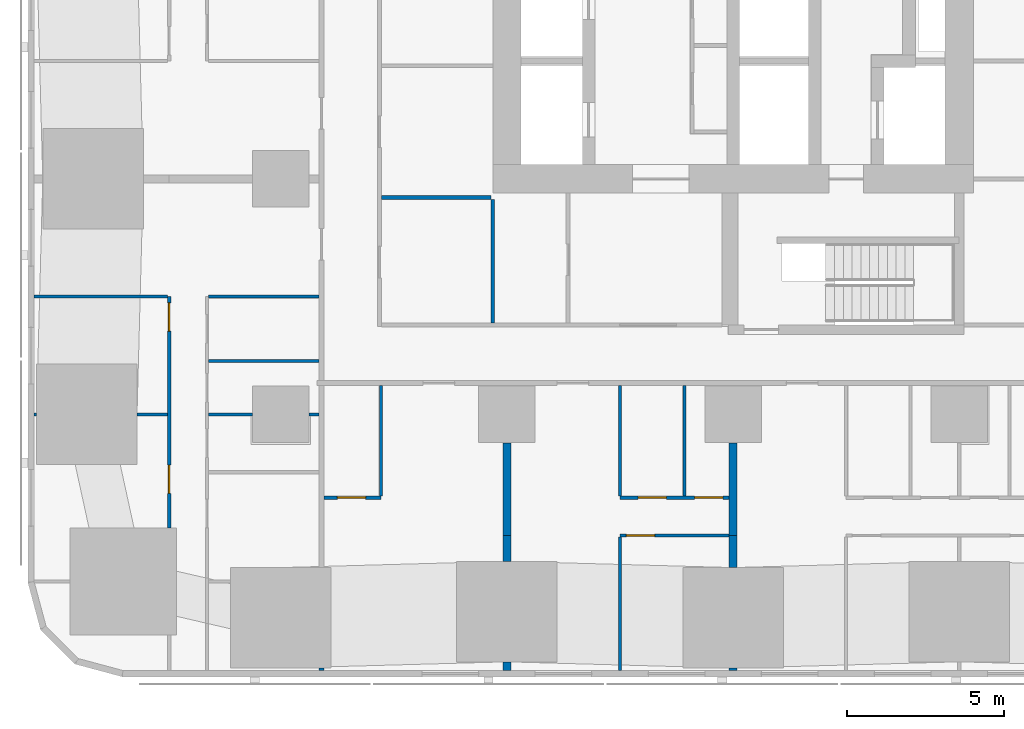
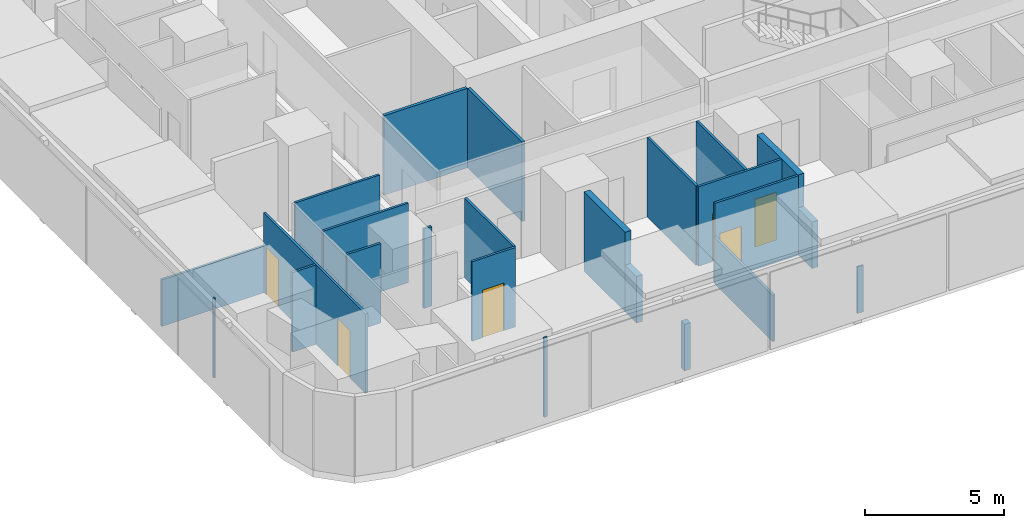
# One storey, part 3 of 18: 24 walls, 6 doors, 6 openings.
"""IFC4 building model written with IfcOpenShell, lengths in metres."""

from ifc_helpers import new_model, si_unit, direction, frame, frame_2d, origin, place, context, subcontext, project, spatial, rectangle, extrude, material, layer, layer_set, type_object, element, fill, save


model = new_model("IFC4")

# Units and contexts
model_context = context("Model", 3, precision=1e-05, world=origin(), true_north=direction((0.0, 1.0)))
body_context = subcontext(model_context, "Body", "Model", "MODEL_VIEW")
ifc_project = project(units=[si_unit("LENGTHUNIT", "METRE"), si_unit("AREAUNIT", "SQUARE_METRE"), si_unit("VOLUMEUNIT", "CUBIC_METRE"), si_unit("PLANEANGLEUNIT", "RADIAN"), si_unit("MASSUNIT", "GRAM", prefix="KILO")], contexts=[model_context])

# Site, building, storey
site_placement = place(None, origin())
site = spatial("IfcSite", under=ifc_project, at=site_placement, CompositionType="ELEMENT")
building_placement = place(site_placement, origin())
building = spatial("IfcBuilding", under=site, at=building_placement, Name="Sheger Commons Tower", CompositionType="ELEMENT")
storey_placement = place(building_placement, frame((0.0, 0.0, 20.0)))
storey = spatial("IfcBuildingStorey", under=building, at=storey_placement, Name="L04", CompositionType="ELEMENT", Elevation=20.0)

# Walls
ifc_material_1 = material(Name="Hollow concrete block masonry, skimmed both sides", Category="masonry")
ifc_layer_1 = layer(ifc_material_1, 0.14990234375)
ifc_layer_set_1 = layer_set([ifc_layer_1], Name="CORRIDOR WALL 150")
wall_type_1 = type_object("IfcWallType", Name="CORRIDOR WALL 150", PredefinedType="SOLIDWALL", material=ifc_layer_set_1)
wall_1_placement = place(storey_placement, frame((8.5, -0.64990234375, 0.0), z_axis=(0.0, 0.0, 1.0), x_axis=(0.0, 1.0, 0.0)))
element("IfcWall", 1, at=wall_1_placement, inside=storey, type_object=wall_type_1, Name="Corridor wall L04", PredefinedType="SOLIDWALL", context=body_context, shape_type="SweptSolid", body=[
    extrude(rectangle(XDim=0.073974609375, YDim=0.14990234375, at=frame_2d((0.037109375, 0.0))), origin(), (0.0, 0.0, 1.0), 3.5),
])
ifc_material_2 = material(Name="Dense concrete block masonry, plastered both sides (separating wall between flats)", Category="masonry")
ifc_layer_2 = layer(ifc_material_2, 0.25)
ifc_layer_set_2 = layer_set([ifc_layer_2], Name="DEMISING WALL 250")
wall_type_2 = type_object("IfcWallType", Name="DEMISING WALL 250", PredefinedType="SOLIDWALL", material=ifc_layer_set_2)
wall_2_placement = place(storey_placement, frame((14.39990234375, -0.64990234375, 0.0), z_axis=(0.0, 0.0, 1.0), x_axis=(0.0, 1.0, 0.0)))
element("IfcWall", 2, at=wall_2_placement, inside=storey, type_object=wall_type_2, Name="Demising wall L04", PredefinedType="SOLIDWALL", context=body_context, shape_type="SweptSolid", body=[
    extrude(rectangle(XDim=0.27392578125, YDim=0.25, at=frame_2d((0.136962890625, 0.0))), origin(), (0.0, 0.0, 1.0), 2.050048828125),
])
wall_3_placement = place(storey_placement, frame((14.39990234375, 2.825927734375, 0.0), z_axis=(0.0, 0.0, 1.0), x_axis=(0.0, 1.0, 0.0)))
element("IfcWall", 3, at=wall_3_placement, inside=storey, type_object=wall_type_2, Name="Demising wall L04", PredefinedType="SOLIDWALL", context=body_context, shape_type="SweptSolid", body=[
    extrude(rectangle(XDim=0.823974609375, YDim=0.25, at=frame_2d((0.412109375, 0.0))), origin(), (0.0, 0.0, 1.0), 2.050048828125),
])
wall_4_placement = place(storey_placement, frame((14.39990234375, 3.64990234375, 0.0), z_axis=(0.0, 0.0, 1.0), x_axis=(0.0, 1.0, 0.0)))
element("IfcWall", 4, at=wall_4_placement, inside=storey, type_object=wall_type_2, Name="Demising wall L04", PredefinedType="SOLIDWALL", context=body_context, shape_type="SweptSolid", body=[
    extrude(rectangle(XDim=2.94921875, YDim=0.25, at=frame_2d((1.474609375, 0.0))), origin(), (0.0, 0.0, 1.0), 3.5),
])
wall_5_placement = place(storey_placement, frame((21.60009765625, -0.64990234375, 0.0), z_axis=(0.0, 0.0, 1.0), x_axis=(0.0, 1.0, 0.0)))
element("IfcWall", 5, at=wall_5_placement, inside=storey, type_object=wall_type_2, Name="Demising wall L04", PredefinedType="SOLIDWALL", context=body_context, shape_type="SweptSolid", body=[
    extrude(rectangle(XDim=0.073974609375, YDim=0.25, at=frame_2d((0.037109375, 0.0))), origin(), (0.0, 0.0, 1.0), 2.050048828125),
])
wall_6_placement = place(storey_placement, frame((21.60009765625, 2.6259765625, 0.0), z_axis=(0.0, 0.0, 1.0), x_axis=(0.0, 1.0, 0.0)))
element("IfcWall", 6, at=wall_6_placement, inside=storey, type_object=wall_type_2, Name="Demising wall L04", PredefinedType="SOLIDWALL", context=body_context, shape_type="SweptSolid", body=[
    extrude(rectangle(XDim=1.02392578125, YDim=0.25, at=frame_2d((0.511962890625, 0.0))), origin(), (0.0, 0.0, 1.0), 2.050048828125),
])
wall_7_placement = place(storey_placement, frame((21.60009765625, 3.64990234375, 0.0), z_axis=(0.0, 0.0, 1.0), x_axis=(0.0, 1.0, 0.0)))
element("IfcWall", 7, at=wall_7_placement, inside=storey, type_object=wall_type_2, Name="Demising wall L04", PredefinedType="SOLIDWALL", context=body_context, shape_type="SweptSolid", body=[
    extrude(rectangle(XDim=2.94921875, YDim=0.25, at=frame_2d((1.474609375, 0.0))), origin(), (0.0, 0.0, 1.0), 3.5),
])

# Wall, openings, doors
ifc_material_3 = material(Name="Gypsum board on steel studs", Category="steel")
ifc_layer_3 = layer(ifc_material_3, 0.10009765625)
ifc_layer_set_3 = layer_set([ifc_layer_3], Name="PARTITION 100")
wall_type_3 = type_object("IfcWallType", Name="PARTITION 100", PredefinedType="PARTITIONING", material=ifc_layer_set_3)
wall_8_placement = place(storey_placement, frame((3.64990234375, 3.886962890625, 0.0), z_axis=(0.0, 0.0, 1.0), x_axis=(0.0, 1.0, 0.0)))
wall_8 = element("IfcWall", 8, at=wall_8_placement, inside=storey, type_object=wall_type_3, Name="Partition L04", PredefinedType="PARTITIONING", context=body_context, shape_type="SweptSolid", body=[
    extrude(rectangle(XDim=7.363037109375, YDim=0.10009765625, at=frame_2d((3.681640625, 0.0))), origin(), (0.0, 0.0, 1.0), 3.5),
])
opening_1_placement = place(wall_8_placement, frame((6.262939453125, 0.0, 0.0)))
opening_1 = element("IfcOpeningElement", 9, at=opening_1_placement, cuts=wall_8, Name="Opening D2", PredefinedType="OPENING", context=body_context, shape_type="SweptSolid", body=[
    extrude(rectangle(XDim=0.89990234375, YDim=2.10009765625, at=frame_2d((0.449951171875, 1.050048828125))), frame((0.0, 0.06005859375, 0.0), z_axis=(0.0, -1.0, 0.0), x_axis=(1.0, 0.0, 0.0)), (0.0, 0.0, 1.0), 0.1201171875),
])
opening_2_placement = place(wall_8_placement, frame((1.10009765625, 0.0, 0.0)))
opening_2 = element("IfcOpeningElement", 10, at=opening_2_placement, cuts=wall_8, Name="Opening D2", PredefinedType="OPENING", context=body_context, shape_type="SweptSolid", body=[
    extrude(rectangle(XDim=0.89990234375, YDim=2.10009765625, at=frame_2d((0.449951171875, 1.050048828125))), frame((0.0, 0.06005859375, 0.0), z_axis=(0.0, -1.0, 0.0), x_axis=(1.0, 0.0, 0.0)), (0.0, 0.0, 1.0), 0.1201171875),
])
ifc_material_4 = material(Name="Timber door set", Category="wood")
door_type = type_object("IfcDoorType", Name="INTERNAL DOOR 900x2100", OperationType="NOTDEFINED", PredefinedType="DOOR", material=ifc_material_4)
door_1_placement = place(opening_1_placement, origin())
door_1 = element("IfcDoor", 11, at=door_1_placement, inside=storey, type_object=door_type, Name="Main bedroom door", OperationType="SINGLE_SWING_RIGHT", OverallHeight=2.10009765625, OverallWidth=0.89990234375, PredefinedType="DOOR", context=body_context, shape_type="SweptSolid", body=[
    extrude(rectangle(XDim=0.89990234375, YDim=2.10009765625, at=frame_2d((0.449951171875, 1.050048828125))), frame((0.0, 0.02490234375, 0.0), z_axis=(0.0, -1.0, 0.0), x_axis=(1.0, 0.0, 0.0)), (0.0, 0.0, 1.0), 0.050048828125),
])
fill(opening_1, door_1)
door_2_placement = place(opening_2_placement, origin())
door_2 = element("IfcDoor", 12, at=door_2_placement, inside=storey, type_object=door_type, Name="Bedroom 2 door", OperationType="SINGLE_SWING_LEFT", OverallHeight=2.10009765625, OverallWidth=0.89990234375, PredefinedType="DOOR", context=body_context, shape_type="SweptSolid", body=[
    extrude(rectangle(XDim=0.89990234375, YDim=2.10009765625, at=frame_2d((0.449951171875, 1.050048828125))), frame((0.0, 0.02490234375, 0.0), z_axis=(0.0, -1.0, 0.0), x_axis=(1.0, 0.0, 0.0)), (0.0, 0.0, 1.0), 0.050048828125),
])
fill(opening_2, door_2)

# Walls
wall_9_placement = place(storey_placement, frame((-0.64990234375, 7.5, 0.0), z_axis=(0.0, 0.0, 1.0), x_axis=(1.0, 0.0, 0.0)))
element("IfcWall", 13, at=wall_9_placement, inside=storey, type_object=wall_type_3, Name="Partition L04", PredefinedType="PARTITIONING", context=body_context, shape_type="SweptSolid", body=[
    extrude(rectangle(XDim=0.073974609375, YDim=0.10009765625, at=frame_2d((0.037109375, 0.0))), origin(), (0.0, 0.0, 1.0), 3.5),
])
wall_10_placement = place(storey_placement, frame((2.6259765625, 7.5, 0.0), z_axis=(0.0, 0.0, 1.0), x_axis=(1.0, 0.0, 0.0)))
element("IfcWall", 14, at=wall_10_placement, inside=storey, type_object=wall_type_3, Name="Partition L04", PredefinedType="PARTITIONING", context=body_context, shape_type="SweptSolid", body=[
    extrude(rectangle(XDim=0.97412109375, YDim=0.10009765625, at=frame_2d((0.487060546875, 0.0))), origin(), (0.0, 0.0, 1.0), 3.5),
])
wall_11_placement = place(storey_placement, frame((-0.64990234375, 11.25, 0.0), z_axis=(0.0, 0.0, 1.0), x_axis=(1.0, 0.0, 0.0)))
element("IfcWall", 15, at=wall_11_placement, inside=storey, type_object=wall_type_3, Name="Partition L04", PredefinedType="PARTITIONING", context=body_context, shape_type="SweptSolid", body=[
    extrude(rectangle(XDim=4.25, YDim=0.10009765625, at=frame_2d((2.125, 0.0))), origin(), (0.0, 0.0, 1.0), 2.050048828125),
])
wall_12_placement = place(storey_placement, frame((4.89990234375, 7.5, 0.0), z_axis=(0.0, 0.0, 1.0), x_axis=(1.0, 0.0, 0.0)))
element("IfcWall", 16, at=wall_12_placement, inside=storey, type_object=wall_type_3, Name="Partition L04", PredefinedType="PARTITIONING", context=body_context, shape_type="SweptSolid", body=[
    extrude(rectangle(XDim=1.399169921875, YDim=0.10009765625, at=frame_2d((0.69970703125, 0.0))), origin(), (0.0, 0.0, 1.0), 3.5),
])
wall_13_placement = place(storey_placement, frame((8.10107421875, 7.5, 0.0), z_axis=(0.0, 0.0, 1.0), x_axis=(1.0, 0.0, 0.0)))
element("IfcWall", 17, at=wall_13_placement, inside=storey, type_object=wall_type_3, Name="Partition L04", PredefinedType="PARTITIONING", context=body_context, shape_type="SweptSolid", body=[
    extrude(rectangle(XDim=0.323974609375, YDim=0.10009765625, at=frame_2d((0.162109375, 0.0))), origin(), (0.0, 0.0, 1.0), 3.5),
])
for number, where, z_axis, x_axis, name in (
    (18, (4.89990234375, 11.25, 0.0), (0.0, 0.0, 1.0), (1.0, 0.0, 0.0), "Partition L04"),
    (19, (4.89990234375, 9.199951171875, 0.0), (0.0, 0.0, 1.0), (1.0, 0.0, 0.0), "Partition L04"),
):
    element("IfcWall", number, at=place(storey_placement, frame(where, z_axis=z_axis, x_axis=x_axis)), inside=storey, type_object=wall_type_3, Name=name, PredefinedType="PARTITIONING", context=body_context, shape_type="SweptSolid", body=[
        extrude(rectangle(XDim=3.525146484375, YDim=0.10009765625, at=frame_2d((1.7626953125, 0.0))), origin(), (0.0, 0.0, 1.0), 3.5),
    ])

# Wall, opening, door
wall_14_placement = place(storey_placement, frame((10.389892578125, 4.85009765625, 0.0), z_axis=(0.0, 0.0, 1.0), x_axis=(-1.0, 0.0, 0.0)))
wall_14 = element("IfcWall", 20, at=wall_14_placement, inside=storey, type_object=wall_type_3, Name="Partition L04", PredefinedType="PARTITIONING", context=body_context, shape_type="SweptSolid", body=[
    extrude(rectangle(XDim=1.81494140625, YDim=0.10009765625, at=frame_2d((0.907470703125, 0.0))), origin(), (0.0, 0.0, 1.0), 3.5),
])
opening_3_placement = place(wall_14_placement, frame((0.489990234375, 0.0, 0.0)))
opening_3 = element("IfcOpeningElement", 21, at=opening_3_placement, cuts=wall_14, Name="Opening D2", PredefinedType="OPENING", context=body_context, shape_type="SweptSolid", body=[
    extrude(rectangle(XDim=0.89990234375, YDim=2.10009765625, at=frame_2d((0.449951171875, 1.050048828125))), frame((0.0, 0.06005859375, 0.0), z_axis=(0.0, -1.0, 0.0), x_axis=(1.0, 0.0, 0.0)), (0.0, 0.0, 1.0), 0.1201171875),
])
door_3_placement = place(opening_3_placement, origin())
door_3 = element("IfcDoor", 22, at=door_3_placement, inside=storey, type_object=door_type, Name="Shower room door", OperationType="SINGLE_SWING_LEFT", OverallHeight=2.10009765625, OverallWidth=0.89990234375, PredefinedType="DOOR", context=body_context, shape_type="SweptSolid", body=[
    extrude(rectangle(XDim=0.89990234375, YDim=2.10009765625, at=frame_2d((0.449951171875, 1.050048828125))), frame((0.0, 0.02490234375, 0.0), z_axis=(0.0, -1.0, 0.0), x_axis=(1.0, 0.0, 0.0)), (0.0, 0.0, 1.0), 0.050048828125),
])
fill(opening_3, door_3)

# Wall
wall_15_placement = place(storey_placement, frame((10.389892578125, 4.89990234375, 0.0), z_axis=(0.0, 0.0, 1.0), x_axis=(0.0, 1.0, 0.0)))
element("IfcWall", 23, at=wall_15_placement, inside=storey, type_object=wall_type_3, Name="Partition L04", PredefinedType="PARTITIONING", context=body_context, shape_type="SweptSolid", body=[
    extrude(rectangle(XDim=3.525146484375, YDim=0.10009765625, at=frame_2d((1.7626953125, 0.0))), origin(), (0.0, 0.0, 1.0), 3.5),
])

# Wall, opening, door
wall_16_placement = place(storey_placement, frame((21.47509765625, 3.64990234375, 0.0), z_axis=(0.0, 0.0, 1.0), x_axis=(-1.0, 0.0, 0.0)))
wall_16 = element("IfcWall", 24, at=wall_16_placement, inside=storey, type_object=wall_type_3, Name="Partition L04", PredefinedType="PARTITIONING", context=body_context, shape_type="SweptSolid", body=[
    extrude(rectangle(XDim=3.47509765625, YDim=0.10009765625, at=frame_2d((1.737548828125, 0.0))), origin(), (0.0, 0.0, 1.0), 3.5),
])
opening_4_placement = place(wall_16_placement, frame((2.375, 0.0, 0.0)))
opening_4 = element("IfcOpeningElement", 25, at=opening_4_placement, cuts=wall_16, Name="Opening D2", PredefinedType="OPENING", context=body_context, shape_type="SweptSolid", body=[
    extrude(rectangle(XDim=0.89990234375, YDim=2.10009765625, at=frame_2d((0.449951171875, 1.050048828125))), frame((0.0, 0.06005859375, 0.0), z_axis=(0.0, -1.0, 0.0), x_axis=(1.0, 0.0, 0.0)), (0.0, 0.0, 1.0), 0.1201171875),
])
door_4_placement = place(opening_4_placement, origin())
door_4 = element("IfcDoor", 26, at=door_4_placement, inside=storey, type_object=door_type, Name="Main bedroom door", OperationType="SINGLE_SWING_RIGHT", OverallHeight=2.10009765625, OverallWidth=0.89990234375, PredefinedType="DOOR", context=body_context, shape_type="SweptSolid", body=[
    extrude(rectangle(XDim=0.89990234375, YDim=2.10009765625, at=frame_2d((0.449951171875, 1.050048828125))), frame((0.0, 0.02490234375, 0.0), z_axis=(0.0, -1.0, 0.0), x_axis=(1.0, 0.0, 0.0)), (0.0, 0.0, 1.0), 0.050048828125),
])
fill(opening_4, door_4)

# Wall, openings, doors
wall_17_placement = place(storey_placement, frame((21.47509765625, 4.85009765625, 0.0), z_axis=(0.0, 0.0, 1.0), x_axis=(-1.0, 0.0, 0.0)))
wall_17 = element("IfcWall", 27, at=wall_17_placement, inside=storey, type_object=wall_type_3, Name="Partition L04", PredefinedType="PARTITIONING", context=body_context, shape_type="SweptSolid", body=[
    extrude(rectangle(XDim=3.47509765625, YDim=0.10009765625, at=frame_2d((1.737548828125, 0.0))), origin(), (0.0, 0.0, 1.0), 3.5),
])
opening_5_placement = place(wall_17_placement, frame((2.0, 0.0, 0.0)))
opening_5 = element("IfcOpeningElement", 28, at=opening_5_placement, cuts=wall_17, Name="Opening D2", PredefinedType="OPENING", context=body_context, shape_type="SweptSolid", body=[
    extrude(rectangle(XDim=0.89990234375, YDim=2.10009765625, at=frame_2d((0.449951171875, 1.050048828125))), frame((0.0, 0.06005859375, 0.0), z_axis=(0.0, -1.0, 0.0), x_axis=(1.0, 0.0, 0.0)), (0.0, 0.0, 1.0), 0.1201171875),
])
opening_6_placement = place(wall_17_placement, frame((0.199951171875, 0.0, 0.0)))
opening_6 = element("IfcOpeningElement", 29, at=opening_6_placement, cuts=wall_17, Name="Opening D2", PredefinedType="OPENING", context=body_context, shape_type="SweptSolid", body=[
    extrude(rectangle(XDim=0.89990234375, YDim=2.10009765625, at=frame_2d((0.449951171875, 1.050048828125))), frame((0.0, 0.06005859375, 0.0), z_axis=(0.0, -1.0, 0.0), x_axis=(1.0, 0.0, 0.0)), (0.0, 0.0, 1.0), 0.1201171875),
])
door_5_placement = place(opening_5_placement, origin())
door_5 = element("IfcDoor", 30, at=door_5_placement, inside=storey, type_object=door_type, Name="Bathroom door", OperationType="SINGLE_SWING_LEFT", OverallHeight=2.10009765625, OverallWidth=0.89990234375, PredefinedType="DOOR", context=body_context, shape_type="SweptSolid", body=[
    extrude(rectangle(XDim=0.89990234375, YDim=2.10009765625, at=frame_2d((0.449951171875, 1.050048828125))), frame((0.0, 0.02490234375, 0.0), z_axis=(0.0, -1.0, 0.0), x_axis=(1.0, 0.0, 0.0)), (0.0, 0.0, 1.0), 0.050048828125),
])
fill(opening_5, door_5)
door_6_placement = place(opening_6_placement, origin())
door_6 = element("IfcDoor", 31, at=door_6_placement, inside=storey, type_object=door_type, Name="Store door", OperationType="SINGLE_SWING_RIGHT", OverallHeight=2.10009765625, OverallWidth=0.89990234375, PredefinedType="DOOR", context=body_context, shape_type="SweptSolid", body=[
    extrude(rectangle(XDim=0.89990234375, YDim=2.10009765625, at=frame_2d((0.449951171875, 1.050048828125))), frame((0.0, 0.02490234375, 0.0), z_axis=(0.0, -1.0, 0.0), x_axis=(1.0, 0.0, 0.0)), (0.0, 0.0, 1.0), 0.050048828125),
])
fill(opening_6, door_6)

# Walls
wall_18_placement = place(storey_placement, frame((18.0, -0.64990234375, 0.0), z_axis=(0.0, 0.0, 1.0), x_axis=(0.0, 1.0, 0.0)))
element("IfcWall", 32, at=wall_18_placement, inside=storey, type_object=wall_type_3, Name="Partition L04", PredefinedType="PARTITIONING", context=body_context, shape_type="SweptSolid", body=[
    extrude(rectangle(XDim=4.25, YDim=0.10009765625, at=frame_2d((2.125, 0.0))), origin(), (0.0, 0.0, 1.0), 2.050048828125),
])
for number, where, z_axis, x_axis, name in (
    (33, (18.0, 4.89990234375, 0.0), (0.0, 0.0, 1.0), (0.0, 1.0, 0.0), "Partition L04"),
    (34, (20.050048828125, 4.89990234375, 0.0), (0.0, 0.0, 1.0), (0.0, 1.0, 0.0), "Partition L04"),
):
    element("IfcWall", number, at=place(storey_placement, frame(where, z_axis=z_axis, x_axis=x_axis)), inside=storey, type_object=wall_type_3, Name=name, PredefinedType="PARTITIONING", context=body_context, shape_type="SweptSolid", body=[
        extrude(rectangle(XDim=3.525146484375, YDim=0.10009765625, at=frame_2d((1.7626953125, 0.0))), origin(), (0.0, 0.0, 1.0), 3.5),
    ])
ifc_material_5 = material(Name="Gypsum board on steel studs, two layers each side, fire rated", Category="steel")
ifc_layer_4 = layer(ifc_material_5, 0.125)
ifc_layer_set_4 = layer_set([ifc_layer_4], Name="SERVICE WALL 125")
wall_type_4 = type_object("IfcWallType", Name="SERVICE WALL 125", PredefinedType="PARTITIONING", material=ifc_layer_set_4)
wall_19_placement = place(storey_placement, frame((10.4130859375, 14.39990234375, 0.0), z_axis=(0.0, 0.0, 1.0), x_axis=(1.0, 0.0, 0.0)))
element("IfcWall", 35, at=wall_19_placement, inside=storey, type_object=wall_type_4, Name="Service room wall L04", PredefinedType="PARTITIONING", context=body_context, shape_type="SweptSolid", body=[
    extrude(rectangle(XDim=3.474853515625, YDim=0.125, at=frame_2d((1.7373046875, 0.0))), origin(), (0.0, 0.0, 1.0), 3.5),
])
wall_20_placement = place(storey_placement, frame((13.949951171875, 10.4130859375, 0.0), z_axis=(0.0, 0.0, 1.0), x_axis=(0.0, 1.0, 0.0)))
element("IfcWall", 36, at=wall_20_placement, inside=storey, type_object=wall_type_4, Name="Service room wall L04", PredefinedType="PARTITIONING", context=body_context, shape_type="SweptSolid", body=[
    extrude(rectangle(XDim=3.9248046875, YDim=0.125, at=frame_2d((1.96240234375, 0.0))), origin(), (0.0, 0.0, 1.0), 3.5),
])

save(model, "model.ifc")
